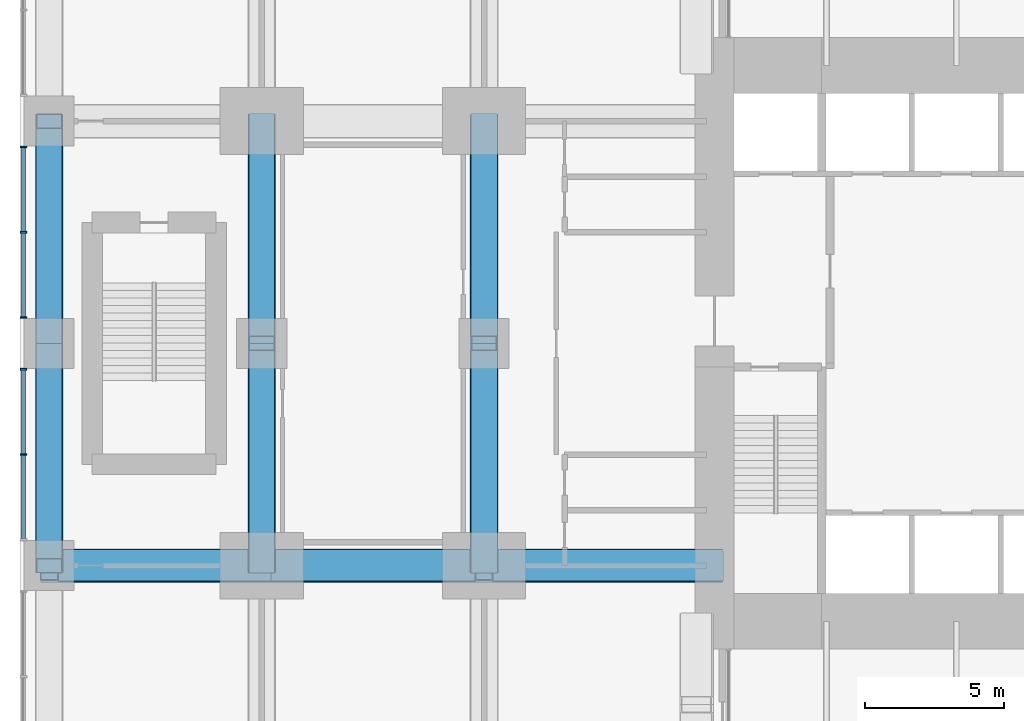
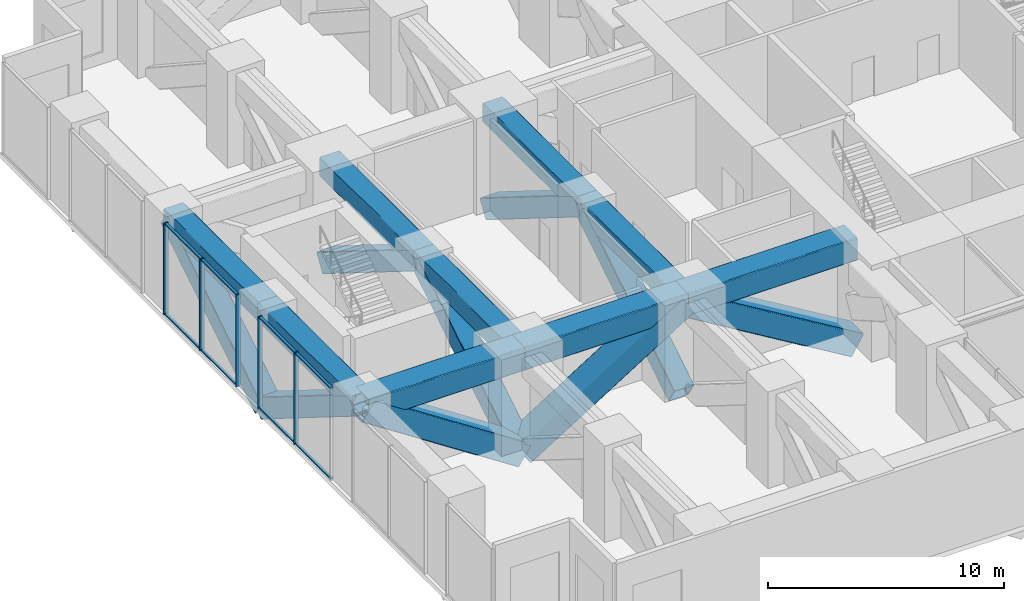
# One storey, part 4 of 19: 31 members, 2 elements without a shape of their own.
"""IFC4 building model written with IfcOpenShell, lengths in metres."""

from ifc_helpers import new_model, si_unit, direction, frame, origin, origin_2d, place, context, subcontext, project, spatial, rectangle, hollow_rectangle, extrude, material, layer, layer_set, material_profile, profile_set, type_object, element, aggregate, save


model = new_model("IFC4")

# Units and contexts
model_context = context("Model", 3, precision=1e-05, world=origin(), true_north=direction((0.0, 1.0)))
body_context = subcontext(model_context, "Body", "Model", "MODEL_VIEW")
ifc_project = project(units=[si_unit("LENGTHUNIT", "METRE"), si_unit("AREAUNIT", "SQUARE_METRE"), si_unit("VOLUMEUNIT", "CUBIC_METRE"), si_unit("PLANEANGLEUNIT", "RADIAN"), si_unit("MASSUNIT", "GRAM", prefix="KILO")], contexts=[model_context])

# Site, building, storey
site_placement = place(None, origin())
site = spatial("IfcSite", under=ifc_project, at=site_placement, CompositionType="ELEMENT")
building_placement = place(site_placement, origin())
building = spatial("IfcBuilding", under=site, at=building_placement, Name="Cleftline Residences", CompositionType="ELEMENT")
storey_placement = place(building_placement, frame((0.0, 0.0, 177.199951171875)))
storey = spatial("IfcBuildingStorey", under=building, at=storey_placement, Name="L46", CompositionType="ELEMENT", Elevation=177.199951171875)

# Members
ifc_material_1 = material(Name="Steel S355", Category="steel")
ifc_material_profile_1 = material_profile(ifc_material_1, hollow_rectangle(XDim=1.0, YDim=1.0, WallThickness=0.0400390625, InnerFilletRadius=0.0400390625, OuterFilletRadius=0.06005859375, at=origin_2d()))
ifc_profile_set_1 = profile_set([ifc_material_profile_1], Name="Steel S355")
member_type_1 = type_object("IfcMemberType", Name="BRACE BOX 1000X1000X40", PredefinedType="BRACE", material=ifc_profile_set_1)
for number, where, z_axis, x_axis, name in (
    (1, (0.35009765625, 16.0, 4.25), (0.0, 0.847998304005, -0.529998940003), (0.0, 0.529998940003, 0.847998304005), "Belt truss diagonal"),
    (2, (0.35009765625, 24.0, -0.75), (0.0, 0.847998304005, 0.529998940003), (0.0, -0.529998940003, 0.847998304005), "Belt truss diagonal"),
    (3, (8.0, 16.0, -0.75), (0.0, 0.847998304005, 0.529998940003), (0.0, -0.529998940003, 0.847998304005), "Belt truss diagonal"),
    (4, (8.0, 24.0, 4.25), (0.0, 0.847998304005, -0.529998940003), (0.0, 0.529998940003, 0.847998304005), "Belt truss diagonal"),
    (5, (16.0, 16.0, -0.75), (0.0, 0.847998304005, 0.529998940003), (0.0, -0.529998940003, 0.847998304005), "Belt truss diagonal"),
    (6, (16.0, 24.0, 4.25), (0.0, 0.847998304005, -0.529998940003), (0.0, 0.529998940003, 0.847998304005), "Belt truss diagonal"),
):
    element("IfcMember", number, at=place(storey_placement, frame(where, z_axis=z_axis, x_axis=x_axis)), inside=storey, type_object=member_type_1, Name=name, PredefinedType="BRACE", context=body_context, shape_type="SweptSolid", body=[
        extrude(hollow_rectangle(XDim=1.0, YDim=1.0, WallThickness=0.0400390625, InnerFilletRadius=0.0400390625, OuterFilletRadius=0.06005859375, at=origin_2d()), origin(), (0.0, 0.0, 1.0), 9.43408203125),
    ])
ifc_material_2 = material(Name="Steel S355", Category="steel")
ifc_material_profile_2 = material_profile(ifc_material_2, hollow_rectangle(XDim=1.199951171875, YDim=1.199951171875, WallThickness=0.06005859375, InnerFilletRadius=0.06005859375, OuterFilletRadius=0.090087890625, at=origin_2d()))
ifc_profile_set_2 = profile_set([ifc_material_profile_2], Name="Steel S355")
member_type_2 = type_object("IfcMemberType", Name="BRACE BOX 1200X1200X60", PredefinedType="BRACE", material=ifc_profile_set_2)
member_1_placement = place(storey_placement, frame((24.300048828125, 16.0, -0.849853515625), z_axis=(-0.85658231387, 0.0, 0.51601040645), x_axis=(0.51601040645, 0.0, 0.85658231387)))
element("IfcMember", 7, at=member_1_placement, inside=storey, type_object=member_type_2, Name="Outrigger truss diagonal", PredefinedType="BRACE", context=body_context, shape_type="SweptSolid", body=[
    extrude(hollow_rectangle(XDim=1.199951171875, YDim=1.199951171875, WallThickness=0.06005859375, InnerFilletRadius=0.06005859375, OuterFilletRadius=0.090087890625, at=origin_2d()), origin(), (0.0, 0.0, 1.0), 9.689697265625),
])
member_2_placement = place(storey_placement, frame((16.0, 16.0, 4.150146484375), z_axis=(-0.847998304005, 0.0, -0.529998940003), x_axis=(-0.529998940003, 0.0, 0.847998304005)))
element("IfcMember", 8, at=member_2_placement, inside=storey, type_object=member_type_2, Name="Outrigger truss diagonal", PredefinedType="BRACE", context=body_context, shape_type="SweptSolid", body=[
    extrude(hollow_rectangle(XDim=1.199951171875, YDim=1.199951171875, WallThickness=0.06005859375, InnerFilletRadius=0.06005859375, OuterFilletRadius=0.090087890625, at=origin_2d()), origin(), (0.0, 0.0, 1.0), 9.43408203125),
])
member_3_placement = place(storey_placement, frame((8.0, 16.0, -0.849853515625), z_axis=(-0.837062783189, 0.0, 0.547106842399), x_axis=(0.547106842399, 0.0, 0.837062783189)))
element("IfcMember", 9, at=member_3_placement, inside=storey, type_object=member_type_2, Name="Outrigger truss diagonal", PredefinedType="BRACE", context=body_context, shape_type="SweptSolid", body=[
    extrude(hollow_rectangle(XDim=1.199951171875, YDim=1.199951171875, WallThickness=0.06005859375, InnerFilletRadius=0.06005859375, OuterFilletRadius=0.090087890625, at=origin_2d()), origin(), (0.0, 0.0, 1.0), 9.138916015625),
])
ifc_material_3 = material(Name="Steel S355", Category="steel")
ifc_material_profile_3 = material_profile(ifc_material_3, hollow_rectangle(XDim=1.0, YDim=1.0, WallThickness=0.0400390625, InnerFilletRadius=0.0400390625, OuterFilletRadius=0.06005859375, at=origin_2d()))
ifc_profile_set_3 = profile_set([ifc_material_profile_3], Name="Steel S355")
member_type_3 = type_object("IfcMemberType", Name="CHORD BOX 1000X1000X40", PredefinedType="CHORD", material=ifc_profile_set_3)
for number, where, z_axis, x_axis, name in (
    (10, (0.35009765625, 16.0, 4.25), (0.0, 1.0, 0.0), (-1.0, 0.0, 0.0), "Belt truss top chord"),
    (11, (0.35009765625, 24.0, 4.25), (0.0, 1.0, 0.0), (-1.0, 0.0, 0.0), "Belt truss top chord"),
    (12, (8.0, 16.0, 4.25), (0.0, 1.0, 0.0), (-1.0, 0.0, 0.0), "Belt truss top chord"),
    (13, (8.0, 24.0, 4.25), (0.0, 1.0, 0.0), (-1.0, 0.0, 0.0), "Belt truss top chord"),
    (14, (16.0, 16.0, 4.25), (0.0, 1.0, 0.0), (-1.0, 0.0, 0.0), "Belt truss top chord"),
    (15, (16.0, 24.0, 4.25), (0.0, 1.0, 0.0), (-1.0, 0.0, 0.0), "Belt truss top chord"),
):
    element("IfcMember", number, at=place(storey_placement, frame(where, z_axis=z_axis, x_axis=x_axis)), inside=storey, type_object=member_type_3, Name=name, PredefinedType="CHORD", context=body_context, shape_type="SweptSolid", body=[
        extrude(hollow_rectangle(XDim=1.0, YDim=1.0, WallThickness=0.0400390625, InnerFilletRadius=0.0400390625, OuterFilletRadius=0.06005859375, at=origin_2d()), origin(), (0.0, 0.0, 1.0), 8.0),
    ])
ifc_material_4 = material(Name="Steel S355", Category="steel")
ifc_material_profile_4 = material_profile(ifc_material_4, hollow_rectangle(XDim=1.199951171875, YDim=1.199951171875, WallThickness=0.06005859375, InnerFilletRadius=0.06005859375, OuterFilletRadius=0.090087890625, at=origin_2d()))
ifc_profile_set_4 = profile_set([ifc_material_profile_4], Name="Steel S355")
member_type_4 = type_object("IfcMemberType", Name="CHORD BOX 1200X1200X60", PredefinedType="CHORD", material=ifc_profile_set_4)
member_4_placement = place(storey_placement, frame((24.300048828125, 16.0, 4.150146484375), z_axis=(-1.0, 0.0, 0.0), x_axis=(0.0, -1.0, 0.0)))
element("IfcMember", 16, at=member_4_placement, inside=storey, type_object=member_type_4, Name="Outrigger truss top chord", PredefinedType="CHORD", context=body_context, shape_type="SweptSolid", body=[
    extrude(hollow_rectangle(XDim=1.199951171875, YDim=1.199951171875, WallThickness=0.06005859375, InnerFilletRadius=0.06005859375, OuterFilletRadius=0.090087890625, at=origin_2d()), origin(), (0.0, 0.0, 1.0), 8.300048828125),
])
member_5_placement = place(storey_placement, frame((16.0, 16.0, 4.150146484375), z_axis=(-1.0, 0.0, 0.0), x_axis=(0.0, -1.0, 0.0)))
element("IfcMember", 17, at=member_5_placement, inside=storey, type_object=member_type_4, Name="Outrigger truss top chord", PredefinedType="CHORD", context=body_context, shape_type="SweptSolid", body=[
    extrude(hollow_rectangle(XDim=1.199951171875, YDim=1.199951171875, WallThickness=0.06005859375, InnerFilletRadius=0.06005859375, OuterFilletRadius=0.090087890625, at=origin_2d()), origin(), (0.0, 0.0, 1.0), 8.0),
])
member_6_placement = place(storey_placement, frame((8.0, 16.0, 4.150146484375), z_axis=(-1.0, 0.0, 0.0), x_axis=(0.0, -1.0, 0.0)))
element("IfcMember", 18, at=member_6_placement, inside=storey, type_object=member_type_4, Name="Outrigger truss top chord", PredefinedType="CHORD", context=body_context, shape_type="SweptSolid", body=[
    extrude(hollow_rectangle(XDim=1.199951171875, YDim=1.199951171875, WallThickness=0.06005859375, InnerFilletRadius=0.06005859375, OuterFilletRadius=0.090087890625, at=origin_2d()), origin(), (0.0, 0.0, 1.0), 7.64990234375),
])

# Curtain wall, members
ifc_material_5 = material(Name="Aluminium framed curtain wall", Category="aluminium")
ifc_layer = layer(ifc_material_5, 0.199951171875)
ifc_layer_set = layer_set([ifc_layer], Name="CW4 SKY LOUNGE GLAZING")
curtain_wall_type = type_object("IfcCurtainWallType", Name="CW4 SKY LOUNGE GLAZING", PredefinedType="NOTDEFINED", material=ifc_layer_set)
curtain_wall_1_placement = place(storey_placement, origin())
curtain_wall_1 = element("IfcCurtainWall", 19, at=curtain_wall_1_placement, inside=storey, type_object=curtain_wall_type, Name="Curtain wall CW4", PredefinedType="NOTDEFINED")
ifc_material_6 = material(Name="Aluminium mullion", Category="aluminium")
ifc_material_profile_5 = material_profile(ifc_material_6, rectangle(XDim=0.219970703125, YDim=0.06494140625, at=origin_2d()))
ifc_profile_set_5 = profile_set([ifc_material_profile_5], Name="Aluminium mullion")
member_type_5 = type_object("IfcMemberType", Name="CW4 MULLION", PredefinedType="MULLION", material=ifc_profile_set_5)
member_7_placement = place(storey_placement, frame((-0.574951171875, 31.0673828125, 0.0), z_axis=(0.0, 0.0, 1.0), x_axis=(1.0, 0.0, 0.0)))
member_7 = element("IfcMember", 20, at=member_7_placement, type_object=member_type_5, Name="CW4 mullion 1", PredefinedType="MULLION", context=body_context, shape_type="SweptSolid", body=[
    extrude(rectangle(XDim=0.219970703125, YDim=0.06494140625, at=origin_2d()), origin(), (0.0, 0.0, 1.0), 4.75),
])
member_8_placement = place(storey_placement, frame((-0.574951171875, 28.0, 0.0), z_axis=(0.0, 0.0, 1.0), x_axis=(1.0, 0.0, 0.0)))
member_8 = element("IfcMember", 21, at=member_8_placement, type_object=member_type_5, Name="CW4 mullion 2", PredefinedType="MULLION", context=body_context, shape_type="SweptSolid", body=[
    extrude(rectangle(XDim=0.219970703125, YDim=0.06494140625, at=origin_2d()), origin(), (0.0, 0.0, 1.0), 4.75),
])
member_9_placement = place(storey_placement, frame((-0.574951171875, 24.9326171875, 0.0), z_axis=(0.0, 0.0, 1.0), x_axis=(1.0, 0.0, 0.0)))
member_9 = element("IfcMember", 22, at=member_9_placement, type_object=member_type_5, Name="CW4 mullion 3", PredefinedType="MULLION", context=body_context, shape_type="SweptSolid", body=[
    extrude(rectangle(XDim=0.219970703125, YDim=0.06494140625, at=origin_2d()), origin(), (0.0, 0.0, 1.0), 4.75),
])

curtain_wall_2_placement = place(storey_placement, origin())
curtain_wall_2 = element("IfcCurtainWall", 23, at=curtain_wall_2_placement, inside=storey, type_object=curtain_wall_type, Name="Curtain wall CW4", PredefinedType="NOTDEFINED")
member_10_placement = place(storey_placement, frame((-0.574951171875, 23.0673828125, 0.0), z_axis=(0.0, 0.0, 1.0), x_axis=(1.0, 0.0, 0.0)))
member_10 = element("IfcMember", 24, at=member_10_placement, type_object=member_type_5, Name="CW4 mullion 1", PredefinedType="MULLION", context=body_context, shape_type="SweptSolid", body=[
    extrude(rectangle(XDim=0.219970703125, YDim=0.06494140625, at=origin_2d()), origin(), (0.0, 0.0, 1.0), 4.75),
])
member_11_placement = place(storey_placement, frame((-0.574951171875, 20.0, 0.0), z_axis=(0.0, 0.0, 1.0), x_axis=(1.0, 0.0, 0.0)))
member_11 = element("IfcMember", 25, at=member_11_placement, type_object=member_type_5, Name="CW4 mullion 2", PredefinedType="MULLION", context=body_context, shape_type="SweptSolid", body=[
    extrude(rectangle(XDim=0.219970703125, YDim=0.06494140625, at=origin_2d()), origin(), (0.0, 0.0, 1.0), 4.75),
])

# Member
ifc_material_7 = material(Name="Aluminium transom", Category="aluminium")
ifc_material_profile_6 = material_profile(ifc_material_7, rectangle(XDim=0.132080078125, YDim=0.06494140625, at=origin_2d()))
ifc_profile_set_6 = profile_set([ifc_material_profile_6], Name="Aluminium transom")
member_type_6 = type_object("IfcMemberType", Name="CW4 TRANSOM", PredefinedType="USERDEFINED", material=ifc_profile_set_6)
member_12_placement = place(storey_placement, frame((-0.574951171875, 31.034912109375, 0.032470703125), z_axis=(0.0, -1.0, 0.0), x_axis=(1.0, 0.0, 0.0)))
member_12 = element("IfcMember", 26, at=member_12_placement, type_object=member_type_6, Name="CW4 transom 1.1", ObjectType="TRANSOM", PredefinedType="USERDEFINED", context=body_context, shape_type="SweptSolid", body=[
    extrude(rectangle(XDim=0.132080078125, YDim=0.06494140625, at=origin_2d()), origin(), (0.0, 0.0, 1.0), 3.00244140625),
])

member_13_placement = place(storey_placement, frame((-0.574951171875, 31.034912109375, 4.717529296875), z_axis=(0.0, -1.0, 0.0), x_axis=(1.0, 0.0, 0.0)))
member_13 = element("IfcMember", 27, at=member_13_placement, type_object=member_type_6, Name="CW4 transom 1.2", ObjectType="TRANSOM", PredefinedType="USERDEFINED", context=body_context, shape_type="SweptSolid", body=[
    extrude(rectangle(XDim=0.132080078125, YDim=0.06494140625, at=origin_2d()), origin(), (0.0, 0.0, 1.0), 3.00244140625),
])

member_14_placement = place(storey_placement, frame((-0.574951171875, 27.967529296875, 0.032470703125), z_axis=(0.0, -1.0, 0.0), x_axis=(1.0, 0.0, 0.0)))
member_14 = element("IfcMember", 28, at=member_14_placement, type_object=member_type_6, Name="CW4 transom 2.1", ObjectType="TRANSOM", PredefinedType="USERDEFINED", context=body_context, shape_type="SweptSolid", body=[
    extrude(rectangle(XDim=0.132080078125, YDim=0.06494140625, at=origin_2d()), origin(), (0.0, 0.0, 1.0), 3.00244140625),
])

member_15_placement = place(storey_placement, frame((-0.574951171875, 27.967529296875, 4.717529296875), z_axis=(0.0, -1.0, 0.0), x_axis=(1.0, 0.0, 0.0)))
member_15 = element("IfcMember", 29, at=member_15_placement, type_object=member_type_6, Name="CW4 transom 2.2", ObjectType="TRANSOM", PredefinedType="USERDEFINED", context=body_context, shape_type="SweptSolid", body=[
    extrude(rectangle(XDim=0.132080078125, YDim=0.06494140625, at=origin_2d()), origin(), (0.0, 0.0, 1.0), 3.00244140625),
])

aggregate(curtain_wall_1, [member_7, member_8, member_9, member_12, member_13, member_14, member_15])

member_16_placement = place(storey_placement, frame((-0.574951171875, 23.034912109375, 0.032470703125), z_axis=(0.0, -1.0, 0.0), x_axis=(1.0, 0.0, 0.0)))
member_16 = element("IfcMember", 30, at=member_16_placement, type_object=member_type_6, Name="CW4 transom 1.1", ObjectType="TRANSOM", PredefinedType="USERDEFINED", context=body_context, shape_type="SweptSolid", body=[
    extrude(rectangle(XDim=0.132080078125, YDim=0.06494140625, at=origin_2d()), origin(), (0.0, 0.0, 1.0), 3.00244140625),
])

member_17_placement = place(storey_placement, frame((-0.574951171875, 23.034912109375, 4.717529296875), z_axis=(0.0, -1.0, 0.0), x_axis=(1.0, 0.0, 0.0)))
member_17 = element("IfcMember", 31, at=member_17_placement, type_object=member_type_6, Name="CW4 transom 1.2", ObjectType="TRANSOM", PredefinedType="USERDEFINED", context=body_context, shape_type="SweptSolid", body=[
    extrude(rectangle(XDim=0.132080078125, YDim=0.06494140625, at=origin_2d()), origin(), (0.0, 0.0, 1.0), 3.00244140625),
])

member_18_placement = place(storey_placement, frame((-0.574951171875, 19.967529296875, 0.032470703125), z_axis=(0.0, -1.0, 0.0), x_axis=(1.0, 0.0, 0.0)))
member_18 = element("IfcMember", 32, at=member_18_placement, type_object=member_type_6, Name="CW4 transom 2.1", ObjectType="TRANSOM", PredefinedType="USERDEFINED", context=body_context, shape_type="SweptSolid", body=[
    extrude(rectangle(XDim=0.132080078125, YDim=0.06494140625, at=origin_2d()), origin(), (0.0, 0.0, 1.0), 3.00244140625),
])

member_19_placement = place(storey_placement, frame((-0.574951171875, 19.967529296875, 4.717529296875), z_axis=(0.0, -1.0, 0.0), x_axis=(1.0, 0.0, 0.0)))
member_19 = element("IfcMember", 33, at=member_19_placement, type_object=member_type_6, Name="CW4 transom 2.2", ObjectType="TRANSOM", PredefinedType="USERDEFINED", context=body_context, shape_type="SweptSolid", body=[
    extrude(rectangle(XDim=0.132080078125, YDim=0.06494140625, at=origin_2d()), origin(), (0.0, 0.0, 1.0), 3.00244140625),
])

aggregate(curtain_wall_2, [member_10, member_11, member_16, member_17, member_18, member_19])

save(model, "model.ifc")
